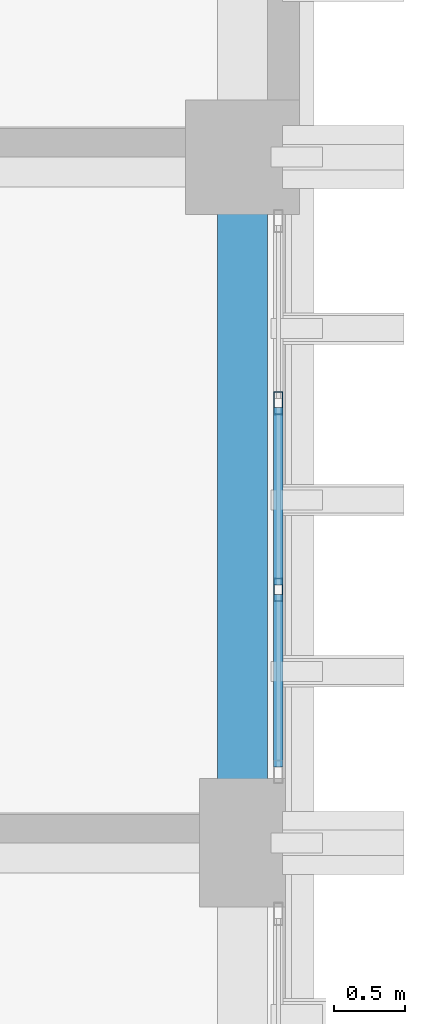
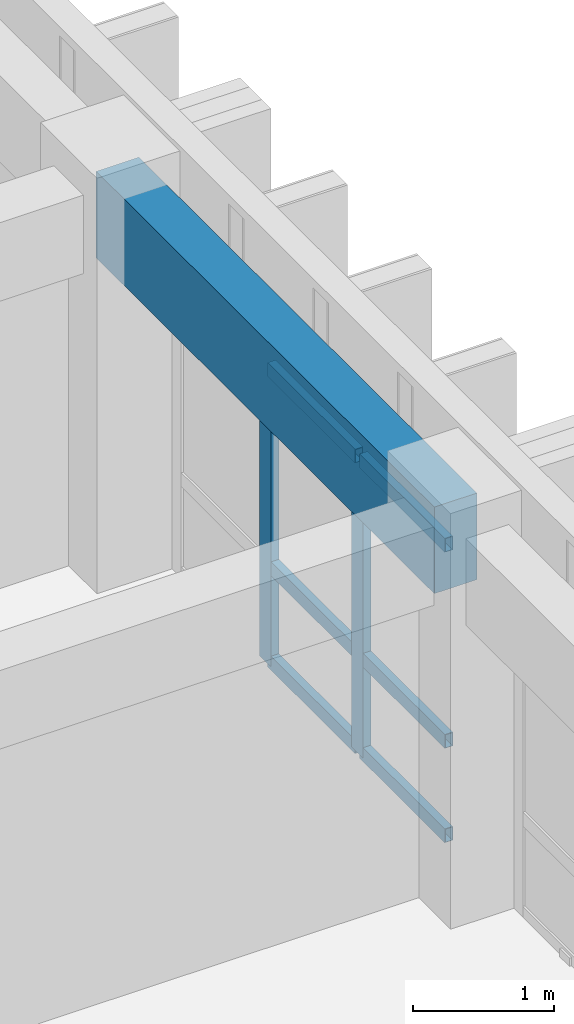
# One storey, part 50 of 82: 8 members, 1 beam, 1 element without a shape of its own.
"""IFC4 building model written with IfcOpenShell, lengths in metres."""

from ifc_helpers import new_model, si_unit, direction, frame, origin, origin_2d, place, context, subcontext, project, spatial, rectangle, hollow_rectangle, extrude, material, layer, layer_set, material_profile, profile_set, type_object, element, aggregate, save


model = new_model("IFC4")

# Units and contexts
model_context = context("Model", 3, precision=1e-05, world=origin(), true_north=direction((0.0, 1.0)))
body_context = subcontext(model_context, "Body", "Model", "MODEL_VIEW")
ifc_project = project(units=[si_unit("LENGTHUNIT", "METRE"), si_unit("AREAUNIT", "SQUARE_METRE"), si_unit("VOLUMEUNIT", "CUBIC_METRE"), si_unit("PLANEANGLEUNIT", "RADIAN"), si_unit("MASSUNIT", "GRAM", prefix="KILO")], contexts=[model_context])

# Site, building, storey
site_placement = place(None, origin())
site = spatial("IfcSite", under=ifc_project, at=site_placement, CompositionType="ELEMENT")
building_placement = place(site_placement, origin())
building = spatial("IfcBuilding", under=site, at=building_placement, Name="Nakhvara Creek Congress Hotel", CompositionType="ELEMENT")
storey_placement = place(building_placement, frame((0.0, 0.0, 21.0)))
storey = spatial("IfcBuildingStorey", under=building, at=storey_placement, Name="L04", CompositionType="ELEMENT", Elevation=21.0)

# Beam
ifc_material_1 = material(Name="Concrete C40/50", Category="concrete")
ifc_material_profile_1 = material_profile(ifc_material_1, rectangle(XDim=0.35009765625, YDim=0.75, at=origin_2d()), Name="RC-SPANDREL 350x750", Category="LoadBearing")
ifc_profile_set_1 = profile_set([ifc_material_profile_1], Name="Concrete C40/50")
beam_type = type_object("IfcBeamType", Name="BM-SPN-350X750", PredefinedType="SPANDREL", material=ifc_profile_set_1)
beam_placement = place(storey_placement, frame((179.35009765625, 110.39990234375, 2.965087890625), z_axis=(0.0, 1.0, 0.0), x_axis=(-1.0, 0.0, 0.0)))
element("IfcBeam", 1, at=beam_placement, inside=storey, type_object=beam_type, Name="Beam SP1-L04-2026", PredefinedType="SPANDREL", context=body_context, shape_type="SweptSolid", body=[
    extrude(rectangle(XDim=0.35009765625, YDim=0.75, at=origin_2d()), origin(), (0.0, 0.0, 1.0), 4.800048828125),
])

# Curtain wall, members
ifc_material_2 = material(Name="Bronze-anodised aluminium AW-6063-T6 and double-silver low-E glass", Category="aluminium")
ifc_layer = layer(ifc_material_2, 0.199951171875)
ifc_layer_set = layer_set([ifc_layer], Name="Bronze-anodised aluminium AW-6063-T6 and double-silver low-E glass")
curtain_wall_type = type_object("IfcCurtainWallType", Name="CW-HTL-UNIT", PredefinedType="USERDEFINED", material=ifc_layer_set)
curtain_wall_placement = place(storey_placement, origin())
curtain_wall = element("IfcCurtainWall", 2, at=curtain_wall_placement, inside=storey, type_object=curtain_wall_type, Name="Curtain Wall CW198", ObjectType="UNITISED", PredefinedType="USERDEFINED")
ifc_material_3 = material(Name="Bronze-anodised aluminium AW-6063-T6", Category="aluminium")
ifc_material_profile_2 = material_profile(ifc_material_3, hollow_rectangle(XDim=0.06494140625, YDim=0.159912109375, WallThickness=0.00390625, at=origin_2d()), Name="ALU-MULL 65x160x4", Category="LoadBearing")
ifc_profile_set_2 = profile_set([ifc_material_profile_2], Name="Bronze-anodised aluminium AW-6063-T6")
member_type_1 = type_object("IfcMemberType", Name="CW-MULL-160", PredefinedType="MULLION", material=ifc_profile_set_2)
member_1_placement = place(storey_placement, frame((179.60009765625, 113.478271484375, 0.0), z_axis=(0.0, 0.0, 1.0), x_axis=(1.0, 0.0, 0.0)))
member_1 = element("IfcMember", 3, at=member_1_placement, type_object=member_type_1, Name="CW198 mullion 2", PredefinedType="MULLION", context=body_context, shape_type="SweptSolid", body=[
    extrude(hollow_rectangle(XDim=0.06494140625, YDim=0.159912109375, WallThickness=0.00390625, at=origin_2d()), origin(), (0.0, 0.0, 1.0), 2.58203125),
])
member_2_placement = place(storey_placement, frame((179.60009765625, 112.171630859375, 0.0), z_axis=(0.0, 0.0, 1.0), x_axis=(1.0, 0.0, 0.0)))
member_2 = element("IfcMember", 4, at=member_2_placement, type_object=member_type_1, Name="CW198 mullion 3", PredefinedType="MULLION", context=body_context, shape_type="SweptSolid", body=[
    extrude(hollow_rectangle(XDim=0.06494140625, YDim=0.159912109375, WallThickness=0.00390625, at=origin_2d()), origin(), (0.0, 0.0, 1.0), 2.58203125),
])
ifc_material_profile_3 = material_profile(ifc_material_3, hollow_rectangle(XDim=0.06494140625, YDim=0.1201171875, WallThickness=0.00390625, at=origin_2d()), Name="ALU-TRAN 65x120x4", Category="LoadBearing")
ifc_profile_set_3 = profile_set([ifc_material_profile_3], Name="Bronze-anodised aluminium AW-6063-T6")
member_type_2 = type_object("IfcMemberType", Name="CW-TRAN-120", PredefinedType="USERDEFINED", material=ifc_profile_set_3)
member_3_placement = place(storey_placement, frame((179.60009765625, 113.44580078125, 0.032470703125), z_axis=(0.0, -1.0, 0.0), x_axis=(1.0, 0.0, 0.0)))
member_3 = element("IfcMember", 5, at=member_3_placement, type_object=member_type_2, Name="CW198 transom 2.1", ObjectType="TRANSOM", PredefinedType="USERDEFINED", context=body_context, shape_type="SweptSolid", body=[
    extrude(hollow_rectangle(XDim=0.06494140625, YDim=0.1201171875, WallThickness=0.00390625, at=origin_2d()), origin(), (0.0, 0.0, 1.0), 1.24169921875),
])
member_4_placement = place(storey_placement, frame((179.60009765625, 113.44580078125, 0.85009765625), z_axis=(0.0, -1.0, 0.0), x_axis=(1.0, 0.0, 0.0)))
member_4 = element("IfcMember", 6, at=member_4_placement, type_object=member_type_2, Name="CW198 transom 2.2", ObjectType="TRANSOM", PredefinedType="USERDEFINED", context=body_context, shape_type="SweptSolid", body=[
    extrude(hollow_rectangle(XDim=0.06494140625, YDim=0.1201171875, WallThickness=0.00390625, at=origin_2d()), origin(), (0.0, 0.0, 1.0), 1.24169921875),
])
member_5_placement = place(storey_placement, frame((179.60009765625, 113.44580078125, 2.549560546875), z_axis=(0.0, -1.0, 0.0), x_axis=(1.0, 0.0, 0.0)))
member_5 = element("IfcMember", 7, at=member_5_placement, type_object=member_type_2, Name="CW198 transom 2.3", ObjectType="TRANSOM", PredefinedType="USERDEFINED", context=body_context, shape_type="SweptSolid", body=[
    extrude(hollow_rectangle(XDim=0.06494140625, YDim=0.1201171875, WallThickness=0.00390625, at=origin_2d()), origin(), (0.0, 0.0, 1.0), 1.24169921875),
])
member_6_placement = place(storey_placement, frame((179.60009765625, 112.13916015625, 0.032470703125), z_axis=(0.0, -1.0, 0.0), x_axis=(1.0, 0.0, 0.0)))
member_6 = element("IfcMember", 8, at=member_6_placement, type_object=member_type_2, Name="CW198 transom 3.1", ObjectType="TRANSOM", PredefinedType="USERDEFINED", context=body_context, shape_type="SweptSolid", body=[
    extrude(hollow_rectangle(XDim=0.06494140625, YDim=0.1201171875, WallThickness=0.00390625, at=origin_2d()), origin(), (0.0, 0.0, 1.0), 1.209228515625),
])
member_7_placement = place(storey_placement, frame((179.60009765625, 112.13916015625, 0.85009765625), z_axis=(0.0, -1.0, 0.0), x_axis=(1.0, 0.0, 0.0)))
member_7 = element("IfcMember", 9, at=member_7_placement, type_object=member_type_2, Name="CW198 transom 3.2", ObjectType="TRANSOM", PredefinedType="USERDEFINED", context=body_context, shape_type="SweptSolid", body=[
    extrude(hollow_rectangle(XDim=0.06494140625, YDim=0.1201171875, WallThickness=0.00390625, at=origin_2d()), origin(), (0.0, 0.0, 1.0), 1.209228515625),
])
member_8_placement = place(storey_placement, frame((179.60009765625, 112.13916015625, 2.549560546875), z_axis=(0.0, -1.0, 0.0), x_axis=(1.0, 0.0, 0.0)))
member_8 = element("IfcMember", 10, at=member_8_placement, type_object=member_type_2, Name="CW198 transom 3.3", ObjectType="TRANSOM", PredefinedType="USERDEFINED", context=body_context, shape_type="SweptSolid", body=[
    extrude(hollow_rectangle(XDim=0.06494140625, YDim=0.1201171875, WallThickness=0.00390625, at=origin_2d()), origin(), (0.0, 0.0, 1.0), 1.209228515625),
])
aggregate(curtain_wall, [member_1, member_2, member_3, member_4, member_5, member_6, member_7, member_8])

save(model, "model.ifc")
